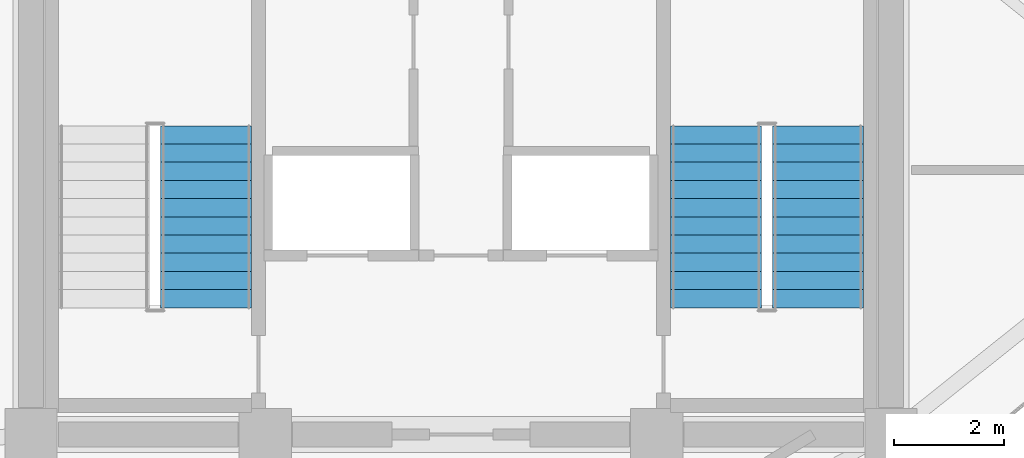
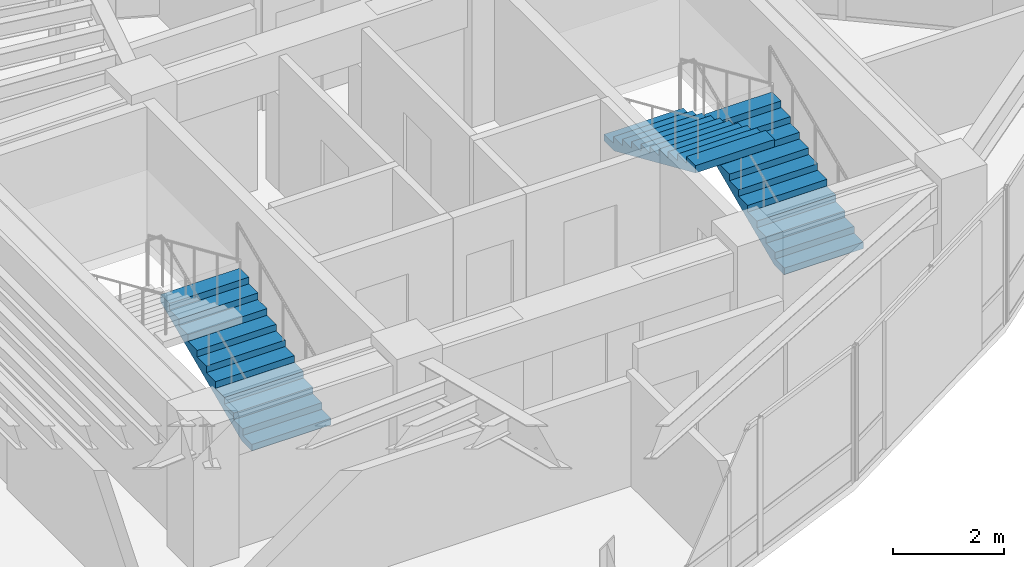
# One storey, part 13 of 14: 3 stair flights, 2 elements without a shape of their own.
"""IFC4 building model written with IfcOpenShell, lengths in metres."""

import ifcopenshell
import ifcopenshell.guid

model = None  # the IFC model being written
_history = None  # IfcOwnerHistory: only IFC2X3 demands one
_inside = {}  # id of a spatial element -> (the spatial element, [elements in it])
_under = {}  # id of a project, library or spatial element -> (it, [spatial elements below it])
_declared = {}  # id of a project -> (the project, [libraries it declares])
_typed = {}  # id of a type object -> (the type object, [elements of that type])
_made_of = {}  # id of a material, layer set ... -> (it, [elements and type objects made of it])


def new_model(schema):
    """Start an empty IFC model of exactly this schema.

    Asked for "IFC4X3", IfcOpenShell would pick the latest addendum, in which some entities
    have other attributes; the version numbers below select the first issue.
    IFC2X3 requires an IfcOwnerHistory on every rooted entity: one is made here for all.
    """
    global model, _history
    if schema == "IFC4X3":
        model = ifcopenshell.file(schema_version=(4, 3, 0, 0))
    else:
        model = ifcopenshell.file(schema=schema)
    _inside.clear()
    _under.clear()
    _declared.clear()
    _typed.clear()
    _made_of.clear()
    _history = None
    if model.schema == "IFC2X3":
        org = make("IfcOrganization", Name="unknown")
        user = make(
            "IfcPersonAndOrganization",
            ThePerson=make("IfcPerson", FamilyName="unknown"),
            TheOrganization=org,
        )
        app = make(
            "IfcApplication",
            ApplicationDeveloper=org,
            Version="unknown",
            ApplicationFullName="unknown",
            ApplicationIdentifier="unknown",
        )
        _history = make(
            "IfcOwnerHistory",
            OwningUser=user,
            OwningApplication=app,
            ChangeAction="ADDED",
            CreationDate=0,
        )
    return model


def make(cls, **values):
    """One entity of the class cls with the attributes given. An attribute that is None is left unset."""
    return model.create_entity(
        cls, **{name: value for name, value in values.items() if value is not None}
    )


def rooted(cls, **values):
    """An entity with a GlobalId (a new one), such as an element, a storey or a relation."""
    return make(cls, GlobalId=ifcopenshell.guid.new(), OwnerHistory=_history, **values)


def si_unit(unit_type, name, prefix=None):
    """IfcSIUnit, for example si_unit("LENGTHUNIT", "METRE", prefix="MILLI")."""
    return make("IfcSIUnit", UnitType=unit_type, Prefix=prefix, Name=name)


def assignment(units):
    """IfcUnitAssignment: the units of a project."""
    return None if units is None else make("IfcUnitAssignment", Units=units)


def point(xyz):
    """IfcCartesianPoint."""
    return None if xyz is None else make("IfcCartesianPoint", Coordinates=xyz)


def direction(xyz):
    """IfcDirection."""
    return None if xyz is None else make("IfcDirection", DirectionRatios=xyz)


def frame(location, z_axis=None, x_axis=None):
    """IfcAxis2Placement3D, a coordinate frame: its origin and axes. An axis left out is left unset."""
    return make(
        "IfcAxis2Placement3D",
        Location=point(location),
        Axis=direction(z_axis),
        RefDirection=direction(x_axis),
    )


def origin():
    """The frame at (0, 0, 0) with its axes left unset."""
    return frame((0.0, 0.0, 0.0))


def place(relative_to, where):
    """IfcLocalPlacement: puts the frame where relative to a parent placement (None: the world)."""
    return make(
        "IfcLocalPlacement", PlacementRelTo=relative_to, RelativePlacement=where
    )


def context(
    kind, dimensions, precision=None, world=None, true_north=None, identifier=None
):
    """IfcGeometricRepresentationContext, for example the 3D "Model" context."""
    return make(
        "IfcGeometricRepresentationContext",
        ContextIdentifier=identifier,
        ContextType=kind,
        CoordinateSpaceDimension=dimensions,
        Precision=precision,
        WorldCoordinateSystem=world,
        TrueNorth=true_north,
    )


def subcontext(parent, identifier, kind, view, scale=None):
    """IfcGeometricRepresentationSubContext, for example "Body" below "Model"."""
    return make(
        "IfcGeometricRepresentationSubContext",
        ContextIdentifier=identifier,
        ContextType=kind,
        ParentContext=parent,
        TargetScale=scale,
        TargetView=view,
    )


def project(units=None, contexts=None):
    """IfcProject with its units and contexts."""
    return rooted(
        "IfcProject",
        Name="project",
        RepresentationContexts=contexts,
        UnitsInContext=assignment(units),
    )


def spatial(cls, under=None, at=None, **own):
    """A site, building, storey or space (cls), placed at a placement, below another one or the project."""
    s = rooted(cls, ObjectPlacement=at, **own)
    if under is not None:
        _under.setdefault(under.id(), (under, []))[1].append(s)
    return s


def polyline(points):
    """IfcPolyline through the points."""
    return make("IfcPolyline", Points=[point(p) for p in points])


def outline(outer, holes=None, kind="AREA"):
    """IfcArbitraryClosedProfileDef: a profile drawn as a closed curve; with holes, ...WithVoids."""
    if holes is None:
        return make("IfcArbitraryClosedProfileDef", ProfileType=kind, OuterCurve=outer)
    return make(
        "IfcArbitraryProfileDefWithVoids",
        ProfileType=kind,
        OuterCurve=outer,
        InnerCurves=holes,
    )


def extrude(swept, where, along, depth):
    """IfcExtrudedAreaSolid: the profile swept, set in the frame where, extruded along a direction by depth."""
    return make(
        "IfcExtrudedAreaSolid",
        SweptArea=swept,
        Position=where,
        ExtrudedDirection=direction(along),
        Depth=depth,
    )


def shape(context_of_items, identifier, shape_type, items):
    """IfcShapeRepresentation: the items that make up one representation, for example the "Body"."""
    return make(
        "IfcShapeRepresentation",
        ContextOfItems=context_of_items,
        RepresentationIdentifier=identifier,
        RepresentationType=shape_type,
        Items=items,
    )


def material(Name=None, Category=None):
    """IfcMaterial."""
    return make("IfcMaterial", Name=Name, Category=Category)


def made_of(thing, what):
    """Note that an element or type object is made of a material, layer set ...; save() writes the relation."""
    if what is not None:
        _made_of.setdefault(what.id(), (what, []))[1].append(thing)
    return thing


def type_object(cls, material=None, **own):
    """A type object (cls), such as IfcWallType, which elements share."""
    return made_of(rooted(cls, **own), material)


def element(
    cls,
    number,
    at=None,
    inside=None,
    cuts=None,
    type_object=None,
    material=None,
    context=None,
    identifier="Body",
    shape_type=None,
    held_by="IfcProductDefinitionShape",
    body=None,
    shapes=None,
    **own,
):
    """One element of the class cls, such as IfcWall. Its Tag is "e" and its number.

    at: its placement. inside: the storey or other place that contains it. cuts: it is an
    opening in that element (IfcRelVoidsElement). A single representation is given by context,
    identifier, shape_type and body (its items); several are given by shapes. held_by: the class
    of the entity that holds the representations. save() writes the other relations.
    """
    e = rooted(cls, Tag="e%d" % number, ObjectPlacement=at, **own)
    if body is not None:
        shapes = [shape(context, identifier, shape_type, body)]
    if shapes is not None:
        e.Representation = make(held_by, Representations=shapes)
    if inside is not None:
        _inside.setdefault(inside.id(), (inside, []))[1].append(e)
    if cuts is not None:
        rooted(
            "IfcRelVoidsElement", RelatingBuildingElement=cuts, RelatedOpeningElement=e
        )
    if type_object is not None:
        _typed.setdefault(type_object.id(), (type_object, []))[1].append(e)
    return made_of(e, material)


def aggregate(whole, parts):
    """IfcRelAggregates: a whole, such as a stair, and the parts it consists of."""
    return rooted("IfcRelAggregates", RelatingObject=whole, RelatedObjects=parts)


def save(model, path):
    """Write the relations noted so far, then the file.

    IfcRelAggregates (storeys below a building ...), IfcRelContainedInSpatialStructure (elements
    in a storey), IfcRelDefinesByType, IfcRelAssociatesMaterial and IfcRelDeclares: one each for
    every whole, place, type object, material and project.
    """
    for whole, parts in _under.values():
        aggregate(whole, parts)
    for where, things in _inside.values():
        rooted(
            "IfcRelContainedInSpatialStructure",
            RelatedElements=things,
            RelatingStructure=where,
        )
    for kind, things in _typed.values():
        rooted("IfcRelDefinesByType", RelatedObjects=things, RelatingType=kind)
    for what, things in _made_of.values():
        rooted("IfcRelAssociatesMaterial", RelatedObjects=things, RelatingMaterial=what)
    for by, libraries in _declared.values():
        rooted("IfcRelDeclares", RelatingContext=by, RelatedDefinitions=libraries)
    model.write(path)


model = new_model("IFC4")

# Units and contexts
model_context = context("Model", 3, precision=1e-05, world=origin(), true_north=direction((0.0, 1.0)))
body_context = subcontext(model_context, "Body", "Model", "MODEL_VIEW")
ifc_project = project(units=[si_unit("LENGTHUNIT", "METRE"), si_unit("AREAUNIT", "SQUARE_METRE"), si_unit("VOLUMEUNIT", "CUBIC_METRE"), si_unit("PLANEANGLEUNIT", "RADIAN"), si_unit("MASSUNIT", "GRAM", prefix="KILO")], contexts=[model_context])

# Site, building, storey
site_placement = place(None, origin())
site = spatial("IfcSite", under=ifc_project, at=site_placement, CompositionType="ELEMENT")
building_placement = place(site_placement, origin())
building = spatial("IfcBuilding", under=site, at=building_placement, Name="Menara Vayukalpa", CompositionType="ELEMENT")
storey_placement = place(building_placement, frame((0.0, 0.0, 305.6201171875)))
storey = spatial("IfcBuildingStorey", under=building, at=storey_placement, Name="L78", CompositionType="ELEMENT", Elevation=305.6201171875)

# Stair, stair flight
ifc_material_1 = material(Name="Precast Concrete C40/50", Category="concrete")
stair_type = type_object("IfcStairType", Name="STR-T07", PredefinedType="DOUBLE_RETURN_STAIR", material=ifc_material_1)
stair_1_placement = place(storey_placement, origin())
stair_1 = element("IfcStair", 1, at=stair_1_placement, inside=storey, type_object=stair_type, Name="L78 Core Exit Stair ST-1", PredefinedType="DOUBLE_RETURN_STAIR")
ifc_material_2 = material(Name="Precast Concrete C40/50", Category="concrete")
stair_flight_type = type_object("IfcStairFlightType", Name="STF-T07", PredefinedType="STRAIGHT", material=ifc_material_2)
stair_flight_1_placement = place(storey_placement, frame((20.97509765625, 19.5, 0.0), z_axis=(0.0, 0.0, 1.0), x_axis=(0.0, 1.0, 0.0)))
stair_flight_1 = element("IfcStairFlight", 2, at=stair_flight_1_placement, type_object=stair_flight_type, Name="ST-1 flight 1", NumberOfRisers=11, NumberOfTreads=10, PredefinedType="STRAIGHT", RiserHeight=0.145454545, TreadLength=0.33, context=body_context, shape_type="SweptSolid", body=[
    extrude(outline(polyline([(0.0, 0.0), (0.0, 0.1455078125), (0.330078125, 0.1455078125), (0.330078125, 0.291015625), (0.659912109375, 0.291015625), (0.659912109375, 0.436279296875), (0.989990234375, 0.436279296875), (0.989990234375, 0.581787109375), (1.320068359375, 0.581787109375), (1.320068359375, 0.727294921875), (1.64990234375, 0.727294921875), (1.64990234375, 0.872802734375), (1.97998046875, 0.872802734375), (1.97998046875, 1.01806640625), (2.31005859375, 1.01806640625), (2.31005859375, 1.16357421875), (2.639892578125, 1.16357421875), (2.639892578125, 1.30908203125), (2.969970703125, 1.30908203125), (2.969970703125, 1.45458984375), (3.300048828125, 1.45458984375), (3.300048828125, 1.60009765625), (3.300048828125, 1.290771484375), (0.37158203125, 0.0), (0.0, 0.0)])), frame((0.0, 0.824951171875, 0.0), z_axis=(0.0, -1.0, 0.0), x_axis=(1.0, 0.0, 0.0)), (0.0, 0.0, 1.0), 1.64990234375),
])
aggregate(stair_1, [stair_flight_1])

# Stair, stair flights
stair_2_placement = place(storey_placement, origin())
stair_2 = element("IfcStair", 3, at=stair_2_placement, inside=storey, type_object=stair_type, Name="L78 Core Exit Stair ST-2", PredefinedType="DOUBLE_RETURN_STAIR")
stair_flight_2_placement = place(storey_placement, frame((32.074951171875, 19.5, 0.0), z_axis=(0.0, 0.0, 1.0), x_axis=(0.0, 1.0, 0.0)))
stair_flight_2 = element("IfcStairFlight", 4, at=stair_flight_2_placement, type_object=stair_flight_type, Name="ST-2 flight 1", NumberOfRisers=11, NumberOfTreads=10, PredefinedType="STRAIGHT", RiserHeight=0.145454545, TreadLength=0.33, context=body_context, shape_type="SweptSolid", body=[
    extrude(outline(polyline([(0.0, 0.0), (0.0, 0.1455078125), (0.330078125, 0.1455078125), (0.330078125, 0.291015625), (0.659912109375, 0.291015625), (0.659912109375, 0.436279296875), (0.989990234375, 0.436279296875), (0.989990234375, 0.581787109375), (1.320068359375, 0.581787109375), (1.320068359375, 0.727294921875), (1.64990234375, 0.727294921875), (1.64990234375, 0.872802734375), (1.97998046875, 0.872802734375), (1.97998046875, 1.01806640625), (2.31005859375, 1.01806640625), (2.31005859375, 1.16357421875), (2.639892578125, 1.16357421875), (2.639892578125, 1.30908203125), (2.969970703125, 1.30908203125), (2.969970703125, 1.45458984375), (3.300048828125, 1.45458984375), (3.300048828125, 1.60009765625), (3.300048828125, 1.290771484375), (0.37158203125, 0.0), (0.0, 0.0)])), frame((0.0, 0.824951171875, 0.0), z_axis=(0.0, -1.0, 0.0), x_axis=(1.0, 0.0, 0.0)), (0.0, 0.0, 1.0), 1.64990234375),
])
stair_flight_3_placement = place(storey_placement, frame((30.22509765625, 22.800048828125, 1.599853515625), z_axis=(0.0, 0.0, 1.0), x_axis=(0.0, -1.0, 0.0)))
stair_flight_3 = element("IfcStairFlight", 5, at=stair_flight_3_placement, type_object=stair_flight_type, Name="ST-2 flight 2", NumberOfRisers=11, NumberOfTreads=10, PredefinedType="STRAIGHT", RiserHeight=0.145454545, TreadLength=0.33, context=body_context, shape_type="SweptSolid", body=[
    extrude(outline(polyline([(0.0, 0.0), (0.0, 0.1455078125), (0.330078125, 0.1455078125), (0.330078125, 0.291015625), (0.659912109375, 0.291015625), (0.659912109375, 0.436279296875), (0.989990234375, 0.436279296875), (0.989990234375, 0.581787109375), (1.320068359375, 0.581787109375), (1.320068359375, 0.727294921875), (1.64990234375, 0.727294921875), (1.64990234375, 0.872802734375), (1.97998046875, 0.872802734375), (1.97998046875, 1.01806640625), (2.31005859375, 1.01806640625), (2.31005859375, 1.16357421875), (2.639892578125, 1.16357421875), (2.639892578125, 1.30908203125), (2.969970703125, 1.30908203125), (2.969970703125, 1.45458984375), (3.300048828125, 1.45458984375), (3.300048828125, 1.60009765625), (3.300048828125, 1.290771484375), (0.37158203125, 0.0), (0.0, 0.0)])), frame((0.0, 0.824951171875, 0.0), z_axis=(0.0, -1.0, 0.0), x_axis=(1.0, 0.0, 0.0)), (0.0, 0.0, 1.0), 1.64990234375),
])
aggregate(stair_2, [stair_flight_2, stair_flight_3])

save(model, "model.ifc")
